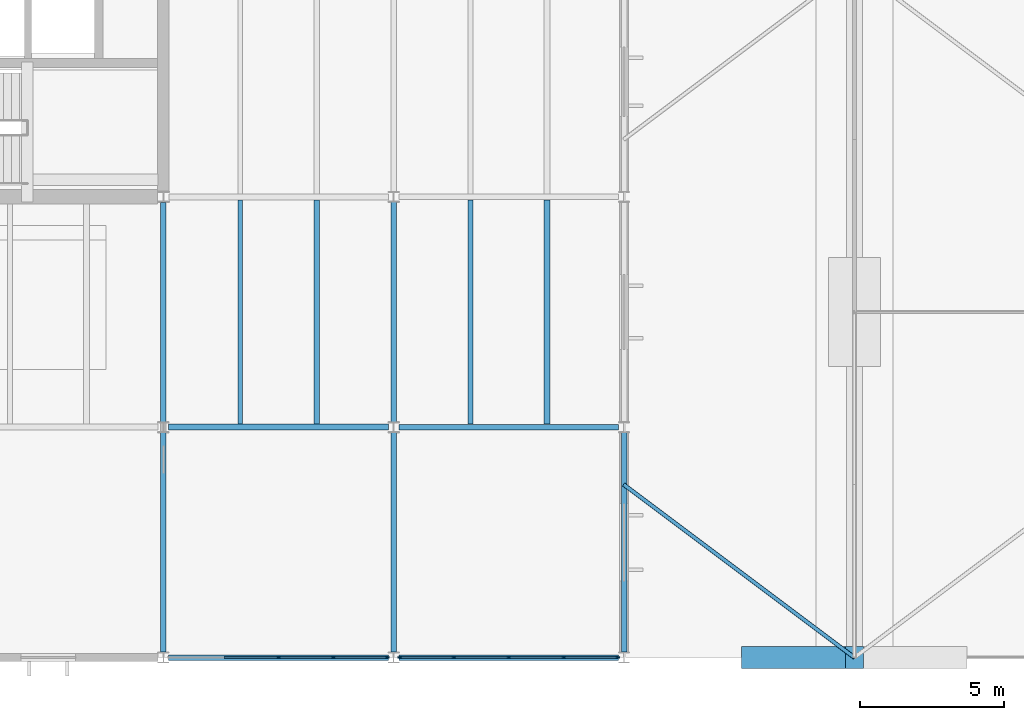
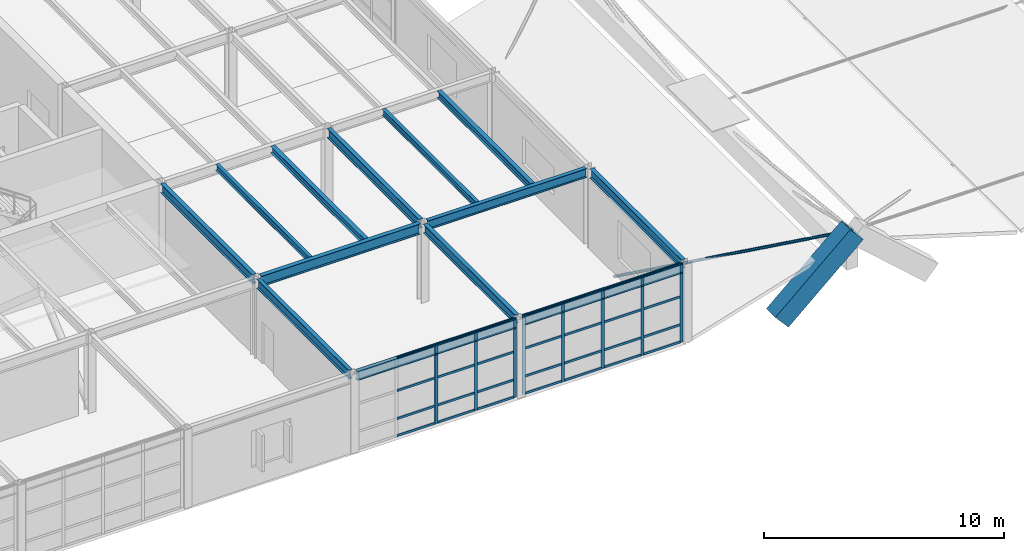
# One storey, part 13 of 50: 38 members, 13 beams, 2 elements without a shape of their own.
"""IFC4 building model written with IfcOpenShell, lengths in metres."""

from ifc_helpers import new_model, si_unit, direction, frame, origin, origin_2d, place, context, subcontext, project, spatial, rectangle, hollow_circle, i_section, extrude, material, layer, layer_set, material_profile, profile_set, type_object, element, aggregate, save


model = new_model("IFC4")

# Units and contexts
model_context = context("Model", 3, precision=1e-05, world=origin(), true_north=direction((0.0, 1.0)))
body_context = subcontext(model_context, "Body", "Model", "MODEL_VIEW")
ifc_project = project(units=[si_unit("LENGTHUNIT", "METRE"), si_unit("AREAUNIT", "SQUARE_METRE"), si_unit("VOLUMEUNIT", "CUBIC_METRE"), si_unit("PLANEANGLEUNIT", "RADIAN"), si_unit("MASSUNIT", "GRAM", prefix="KILO")], contexts=[model_context])

# Site, building, storey
site_placement = place(None, origin())
site = spatial("IfcSite", under=ifc_project, at=site_placement, CompositionType="ELEMENT")
building_placement = place(site_placement, origin())
building = spatial("IfcBuilding", under=site, at=building_placement, Name="Varnela Railside Interchange", CompositionType="ELEMENT")
storey_placement = place(building_placement, frame((0.0, 0.0, 15.39990234375)))
storey = spatial("IfcBuildingStorey", under=building, at=storey_placement, Name="L03", CompositionType="ELEMENT", Elevation=15.39990234375)

# Beams
ifc_material_1 = material(Name="Steel AR 350 (350 MPa)", Category="steel")
ifc_material_profile_1 = material_profile(ifc_material_1, i_section(OverallWidth=0.1650390625, OverallDepth=0.31005859375, WebThickness=0.005859375, FlangeThickness=0.009765625, at=origin_2d()), Name="W310x38.7")
ifc_profile_set_1 = profile_set([ifc_material_profile_1], Name="Steel AR 350 (350 MPa)")
beam_type_1 = type_object("IfcBeamType", Name="Composite Floor Joist J-04", PredefinedType="JOIST", material=ifc_profile_set_1)
for number, where, z_axis, x_axis, name in (
    (1, (38.669921875, 46.1044921875, 3.84521484375), (0.0, 1.0, 0.0), (-1.0, 0.0, 0.0), "Composite Floor Joist J-04 (L03) (BM-2193)"),
    (2, (46.669921875, 46.1044921875, 3.84521484375), (0.0, 1.0, 0.0), (-1.0, 0.0, 0.0), "Composite Floor Joist J-04 (L03) (BM-2204)"),
):
    element("IfcBeam", number, at=place(storey_placement, frame(where, z_axis=z_axis, x_axis=x_axis)), inside=storey, type_object=beam_type_1, Name=name, PredefinedType="JOIST", context=body_context, shape_type="SweptSolid", body=[
        extrude(i_section(OverallWidth=0.1650390625, OverallDepth=0.31005859375, WebThickness=0.005859375, FlangeThickness=0.009765625, at=origin_2d()), origin(), (0.0, 0.0, 1.0), 7.791015625),
    ])
ifc_material_profile_2 = material_profile(ifc_material_1, i_section(OverallWidth=0.208984375, OverallDepth=0.532958984375, WebThickness=0.01025390625, FlangeThickness=0.015625, at=origin_2d()), Name="W530x92")
ifc_profile_set_2 = profile_set([ifc_material_profile_2], Name="Steel AR 350 (350 MPa)")
beam_type_2 = type_object("IfcBeamType", Name="Composite Girder B-18", PredefinedType="BEAM", material=ifc_profile_set_2)
beam_1_placement = place(storey_placement, frame((36.1865234375, 46.0, 3.733642578125), z_axis=(1.0, 0.0, 0.0), x_axis=(0.0, 1.0, 0.0)))
element("IfcBeam", 3, at=beam_1_placement, inside=storey, type_object=beam_type_2, Name="Composite Girder B-18 (L03) (BM-2228)", PredefinedType="BEAM", context=body_context, shape_type="SweptSolid", body=[
    extrude(i_section(OverallWidth=0.208984375, OverallDepth=0.532958984375, WebThickness=0.01025390625, FlangeThickness=0.015625, at=origin_2d()), origin(), (0.0, 0.0, 1.0), 7.626953125),
])
ifc_material_profile_3 = material_profile(ifc_material_1, i_section(OverallWidth=0.202880859375, OverallDepth=0.346923828125, WebThickness=0.0078125, FlangeThickness=0.013427734375, at=origin_2d()), Name="W360x64")
ifc_profile_set_3 = profile_set([ifc_material_profile_3], Name="Steel AR 350 (350 MPa)")
beam_type_3 = type_object("IfcBeamType", Name="Composite Heavy Joist J-01", PredefinedType="JOIST", material=ifc_profile_set_3)
for number, where, z_axis, x_axis, name in (
    (4, (41.330078125, 46.1044921875, 3.82666015625), (0.0, 1.0, 0.0), (-1.0, 0.0, 0.0), "Composite Heavy Joist J-01 (L03) (BM-2194)"),
    (5, (49.330078125, 46.1044921875, 3.82666015625), (0.0, 1.0, 0.0), (-1.0, 0.0, 0.0), "Composite Heavy Joist J-01 (L03) (BM-2205)"),
):
    element("IfcBeam", number, at=place(storey_placement, frame(where, z_axis=z_axis, x_axis=x_axis)), inside=storey, type_object=beam_type_3, Name=name, PredefinedType="JOIST", context=body_context, shape_type="SweptSolid", body=[
        extrude(i_section(OverallWidth=0.202880859375, OverallDepth=0.346923828125, WebThickness=0.0078125, FlangeThickness=0.013427734375, at=origin_2d()), origin(), (0.0, 0.0, 1.0), 7.791015625),
    ])
ifc_material_profile_4 = material_profile(ifc_material_1, i_section(OverallWidth=0.194091796875, OverallDepth=0.468994140625, WebThickness=0.0126953125, FlangeThickness=0.0205078125, at=origin_2d()), Name="W460x106")
ifc_profile_set_4 = profile_set([ifc_material_profile_4], Name="Steel AR 350 (350 MPa)")
beam_type_4 = type_object("IfcBeamType", Name="Composite Primary Beam B-19", PredefinedType="BEAM", material=ifc_profile_set_4)
beam_2_placement = place(storey_placement, frame((36.0, 46.18408203125, 3.765625), z_axis=(0.0, 1.0, 0.0), x_axis=(-1.0, 0.0, 0.0)))
element("IfcBeam", 6, at=beam_2_placement, inside=storey, type_object=beam_type_4, Name="Composite Primary Beam B-19 (L03) (BM-2325)", PredefinedType="BEAM", context=body_context, shape_type="SweptSolid", body=[
    extrude(i_section(OverallWidth=0.194091796875, OverallDepth=0.468994140625, WebThickness=0.0126953125, FlangeThickness=0.0205078125, at=origin_2d()), origin(), (0.0, 0.0, 1.0), 7.62841796875),
])
beam_3_placement = place(storey_placement, frame((44.0, 46.18408203125, 3.765625), z_axis=(0.0, 1.0, 0.0), x_axis=(-1.0, 0.0, 0.0)))
element("IfcBeam", 7, at=beam_3_placement, inside=storey, type_object=beam_type_4, Name="Composite Primary Beam B-19 (L03) (BM-2330)", PredefinedType="BEAM", context=body_context, shape_type="SweptSolid", body=[
    extrude(i_section(OverallWidth=0.194091796875, OverallDepth=0.468994140625, WebThickness=0.0126953125, FlangeThickness=0.0205078125, at=origin_2d()), origin(), (0.0, 0.0, 1.0), 7.6318359375),
])

# Member
ifc_material_profile_5 = material_profile(ifc_material_1, hollow_circle(Radius=0.06982421875, WallThickness=0.012451171875, at=origin_2d()), Name="CHS 139.7x12.5")
ifc_profile_set_5 = profile_set([ifc_material_profile_5], Name="Steel AR 350 (350 MPa)")
member_type_1 = type_object("IfcMemberType", Name="Concourse Roof Cable CB-01", PredefinedType="CHORD", material=ifc_profile_set_5)
member_1_placement = place(storey_placement, frame((60.0, 38.0, 2.800048828125), z_axis=(-0.761940397697, 0.571455298273, -0.304771508564), x_axis=(-0.6, -0.8, 0.0)))
element("IfcMember", 8, at=member_1_placement, inside=storey, type_object=member_type_1, Name="Concourse Roof Cable CB-01 (L03) (MB-0104)", PredefinedType="CHORD", context=body_context, shape_type="SweptSolid", body=[
    extrude(hollow_circle(Radius=0.06982421875, WallThickness=0.012451171875, at=origin_2d()), origin(), (0.0, 0.0, 1.0), 10.49951171875),
])

# Curtain wall, members
ifc_material_2 = material(Name="Aluminium 6063-T6", Category="aluminium")
ifc_layer = layer(ifc_material_2, 0.035888671875)
ifc_layer_set = layer_set([ifc_layer], Name="Aluminium 6063-T6")
curtain_wall_type = type_object("IfcCurtainWallType", Name="Operations Wing Facade Curtain Wall CW-03", PredefinedType="USERDEFINED", material=ifc_layer_set)
curtain_wall_1_placement = place(storey_placement, origin())
curtain_wall_1 = element("IfcCurtainWall", 9, at=curtain_wall_1_placement, inside=storey, type_object=curtain_wall_type, Name="Curtain Wall CW-03 (L03) (CW-076)", ObjectType="CURTAIN WALL", PredefinedType="USERDEFINED")
ifc_material_profile_6 = material_profile(ifc_material_2, rectangle(XDim=0.06005859375, YDim=0.139892578125, at=origin_2d()), Name="ALU 60x140")
ifc_profile_set_6 = profile_set([ifc_material_profile_6], Name="Aluminium 6063-T6")
member_type_2 = type_object("IfcMemberType", Name="Curtain Wall Mullion ML-01", PredefinedType="MULLION", material=ifc_profile_set_6)
member_2_placement = place(storey_placement, frame((51.783447265625, 38.0, 0.0), z_axis=(0.0, 0.0, 1.0), x_axis=(0.0, -1.0, 0.0)))
member_2 = element("IfcMember", 10, at=member_2_placement, type_object=member_type_2, Name="CW-03 mullion 1", PredefinedType="MULLION", context=body_context, shape_type="SweptSolid", body=[
    extrude(rectangle(XDim=0.06005859375, YDim=0.139892578125, at=origin_2d()), origin(), (0.0, 0.0, 1.0), 4.0),
])
member_3_placement = place(storey_placement, frame((49.90673828125, 38.0, 0.0), z_axis=(0.0, 0.0, 1.0), x_axis=(0.0, -1.0, 0.0)))
member_3 = element("IfcMember", 11, at=member_3_placement, type_object=member_type_2, Name="CW-03 mullion 2", PredefinedType="MULLION", context=body_context, shape_type="SweptSolid", body=[
    extrude(rectangle(XDim=0.06005859375, YDim=0.139892578125, at=origin_2d()), origin(), (0.0, 0.0, 1.0), 4.0),
])
member_4_placement = place(storey_placement, frame((48.0, 38.0, 0.0), z_axis=(0.0, 0.0, 1.0), x_axis=(0.0, -1.0, 0.0)))
member_4 = element("IfcMember", 12, at=member_4_placement, type_object=member_type_2, Name="CW-03 mullion 3", PredefinedType="MULLION", context=body_context, shape_type="SweptSolid", body=[
    extrude(rectangle(XDim=0.06005859375, YDim=0.139892578125, at=origin_2d()), origin(), (0.0, 0.0, 1.0), 4.0),
])
member_5_placement = place(storey_placement, frame((46.09326171875, 38.0, 0.0), z_axis=(0.0, 0.0, 1.0), x_axis=(0.0, -1.0, 0.0)))
member_5 = element("IfcMember", 13, at=member_5_placement, type_object=member_type_2, Name="CW-03 mullion 4", PredefinedType="MULLION", context=body_context, shape_type="SweptSolid", body=[
    extrude(rectangle(XDim=0.06005859375, YDim=0.139892578125, at=origin_2d()), origin(), (0.0, 0.0, 1.0), 4.0),
])
member_6_placement = place(storey_placement, frame((44.216552734375, 38.0, 0.0), z_axis=(0.0, 0.0, 1.0), x_axis=(0.0, -1.0, 0.0)))
member_6 = element("IfcMember", 14, at=member_6_placement, type_object=member_type_2, Name="CW-03 mullion 5", PredefinedType="MULLION", context=body_context, shape_type="SweptSolid", body=[
    extrude(rectangle(XDim=0.06005859375, YDim=0.139892578125, at=origin_2d()), origin(), (0.0, 0.0, 1.0), 4.0),
])

curtain_wall_2_placement = place(storey_placement, origin())
curtain_wall_2 = element("IfcCurtainWall", 15, at=curtain_wall_2_placement, inside=storey, type_object=curtain_wall_type, Name="Curtain Wall CW-03 (L03) (CW-084)", ObjectType="CURTAIN WALL", PredefinedType="USERDEFINED")
member_7_placement = place(storey_placement, frame((43.783447265625, 38.0, 0.0), z_axis=(0.0, 0.0, 1.0), x_axis=(0.0, -1.0, 0.0)))
member_7 = element("IfcMember", 16, at=member_7_placement, type_object=member_type_2, Name="CW-03 mullion 1", PredefinedType="MULLION", context=body_context, shape_type="SweptSolid", body=[
    extrude(rectangle(XDim=0.06005859375, YDim=0.139892578125, at=origin_2d()), origin(), (0.0, 0.0, 1.0), 4.0),
])
member_8_placement = place(storey_placement, frame((41.90673828125, 38.0, 0.0), z_axis=(0.0, 0.0, 1.0), x_axis=(0.0, -1.0, 0.0)))
member_8 = element("IfcMember", 17, at=member_8_placement, type_object=member_type_2, Name="CW-03 mullion 2", PredefinedType="MULLION", context=body_context, shape_type="SweptSolid", body=[
    extrude(rectangle(XDim=0.06005859375, YDim=0.139892578125, at=origin_2d()), origin(), (0.0, 0.0, 1.0), 4.0),
])
member_9_placement = place(storey_placement, frame((40.0, 38.0, 0.0), z_axis=(0.0, 0.0, 1.0), x_axis=(0.0, -1.0, 0.0)))
member_9 = element("IfcMember", 18, at=member_9_placement, type_object=member_type_2, Name="CW-03 mullion 3", PredefinedType="MULLION", context=body_context, shape_type="SweptSolid", body=[
    extrude(rectangle(XDim=0.06005859375, YDim=0.139892578125, at=origin_2d()), origin(), (0.0, 0.0, 1.0), 4.0),
])

# Member
ifc_material_profile_7 = material_profile(ifc_material_2, rectangle(XDim=0.06005859375, YDim=0.110107421875, at=origin_2d()), Name="ALU 60x110")
ifc_profile_set_7 = profile_set([ifc_material_profile_7], Name="Aluminium 6063-T6")
member_type_3 = type_object("IfcMemberType", Name="Curtain Wall Transom TR-01", PredefinedType="USERDEFINED", material=ifc_profile_set_7)
member_10_placement = place(storey_placement, frame((51.75341796875, 38.0, 0.030029296875), z_axis=(-1.0, 0.0, 0.0), x_axis=(0.0, -1.0, 0.0)))
member_10 = element("IfcMember", 19, at=member_10_placement, type_object=member_type_3, Name="CW-03 transom 1.1", ObjectType="TRANSOM", PredefinedType="USERDEFINED", context=body_context, shape_type="SweptSolid", body=[
    extrude(rectangle(XDim=0.06005859375, YDim=0.110107421875, at=origin_2d()), origin(), (0.0, 0.0, 1.0), 1.816650390625),
])

member_11_placement = place(storey_placement, frame((51.75341796875, 38.0, 0.900146484375), z_axis=(-1.0, 0.0, 0.0), x_axis=(0.0, -1.0, 0.0)))
member_11 = element("IfcMember", 20, at=member_11_placement, type_object=member_type_3, Name="CW-03 transom 1.2", ObjectType="TRANSOM", PredefinedType="USERDEFINED", context=body_context, shape_type="SweptSolid", body=[
    extrude(rectangle(XDim=0.06005859375, YDim=0.110107421875, at=origin_2d()), origin(), (0.0, 0.0, 1.0), 1.816650390625),
])

member_12_placement = place(storey_placement, frame((51.75341796875, 38.0, 2.320068359375), z_axis=(-1.0, 0.0, 0.0), x_axis=(0.0, -1.0, 0.0)))
member_12 = element("IfcMember", 21, at=member_12_placement, type_object=member_type_3, Name="CW-03 transom 1.3", ObjectType="TRANSOM", PredefinedType="USERDEFINED", context=body_context, shape_type="SweptSolid", body=[
    extrude(rectangle(XDim=0.06005859375, YDim=0.110107421875, at=origin_2d()), origin(), (0.0, 0.0, 1.0), 1.816650390625),
])

member_13_placement = place(storey_placement, frame((51.75341796875, 38.0, 3.97021484375), z_axis=(-1.0, 0.0, 0.0), x_axis=(0.0, -1.0, 0.0)))
member_13 = element("IfcMember", 22, at=member_13_placement, type_object=member_type_3, Name="CW-03 transom 1.4", ObjectType="TRANSOM", PredefinedType="USERDEFINED", context=body_context, shape_type="SweptSolid", body=[
    extrude(rectangle(XDim=0.06005859375, YDim=0.110107421875, at=origin_2d()), origin(), (0.0, 0.0, 1.0), 1.816650390625),
])

member_14_placement = place(storey_placement, frame((49.876708984375, 38.0, 0.030029296875), z_axis=(-1.0, 0.0, 0.0), x_axis=(0.0, -1.0, 0.0)))
member_14 = element("IfcMember", 23, at=member_14_placement, type_object=member_type_3, Name="CW-03 transom 2.1", ObjectType="TRANSOM", PredefinedType="USERDEFINED", context=body_context, shape_type="SweptSolid", body=[
    extrude(rectangle(XDim=0.06005859375, YDim=0.110107421875, at=origin_2d()), origin(), (0.0, 0.0, 1.0), 1.8466796875),
])

member_15_placement = place(storey_placement, frame((49.876708984375, 38.0, 0.900146484375), z_axis=(-1.0, 0.0, 0.0), x_axis=(0.0, -1.0, 0.0)))
member_15 = element("IfcMember", 24, at=member_15_placement, type_object=member_type_3, Name="CW-03 transom 2.2", ObjectType="TRANSOM", PredefinedType="USERDEFINED", context=body_context, shape_type="SweptSolid", body=[
    extrude(rectangle(XDim=0.06005859375, YDim=0.110107421875, at=origin_2d()), origin(), (0.0, 0.0, 1.0), 1.8466796875),
])

member_16_placement = place(storey_placement, frame((49.876708984375, 38.0, 2.320068359375), z_axis=(-1.0, 0.0, 0.0), x_axis=(0.0, -1.0, 0.0)))
member_16 = element("IfcMember", 25, at=member_16_placement, type_object=member_type_3, Name="CW-03 transom 2.3", ObjectType="TRANSOM", PredefinedType="USERDEFINED", context=body_context, shape_type="SweptSolid", body=[
    extrude(rectangle(XDim=0.06005859375, YDim=0.110107421875, at=origin_2d()), origin(), (0.0, 0.0, 1.0), 1.8466796875),
])

member_17_placement = place(storey_placement, frame((49.876708984375, 38.0, 3.97021484375), z_axis=(-1.0, 0.0, 0.0), x_axis=(0.0, -1.0, 0.0)))
member_17 = element("IfcMember", 26, at=member_17_placement, type_object=member_type_3, Name="CW-03 transom 2.4", ObjectType="TRANSOM", PredefinedType="USERDEFINED", context=body_context, shape_type="SweptSolid", body=[
    extrude(rectangle(XDim=0.06005859375, YDim=0.110107421875, at=origin_2d()), origin(), (0.0, 0.0, 1.0), 1.8466796875),
])

member_18_placement = place(storey_placement, frame((47.969970703125, 38.0, 0.030029296875), z_axis=(-1.0, 0.0, 0.0), x_axis=(0.0, -1.0, 0.0)))
member_18 = element("IfcMember", 27, at=member_18_placement, type_object=member_type_3, Name="CW-03 transom 3.1", ObjectType="TRANSOM", PredefinedType="USERDEFINED", context=body_context, shape_type="SweptSolid", body=[
    extrude(rectangle(XDim=0.06005859375, YDim=0.110107421875, at=origin_2d()), origin(), (0.0, 0.0, 1.0), 1.8466796875),
])

member_19_placement = place(storey_placement, frame((47.969970703125, 38.0, 0.900146484375), z_axis=(-1.0, 0.0, 0.0), x_axis=(0.0, -1.0, 0.0)))
member_19 = element("IfcMember", 28, at=member_19_placement, type_object=member_type_3, Name="CW-03 transom 3.2", ObjectType="TRANSOM", PredefinedType="USERDEFINED", context=body_context, shape_type="SweptSolid", body=[
    extrude(rectangle(XDim=0.06005859375, YDim=0.110107421875, at=origin_2d()), origin(), (0.0, 0.0, 1.0), 1.8466796875),
])

member_20_placement = place(storey_placement, frame((47.969970703125, 38.0, 2.320068359375), z_axis=(-1.0, 0.0, 0.0), x_axis=(0.0, -1.0, 0.0)))
member_20 = element("IfcMember", 29, at=member_20_placement, type_object=member_type_3, Name="CW-03 transom 3.3", ObjectType="TRANSOM", PredefinedType="USERDEFINED", context=body_context, shape_type="SweptSolid", body=[
    extrude(rectangle(XDim=0.06005859375, YDim=0.110107421875, at=origin_2d()), origin(), (0.0, 0.0, 1.0), 1.8466796875),
])

member_21_placement = place(storey_placement, frame((47.969970703125, 38.0, 3.97021484375), z_axis=(-1.0, 0.0, 0.0), x_axis=(0.0, -1.0, 0.0)))
member_21 = element("IfcMember", 30, at=member_21_placement, type_object=member_type_3, Name="CW-03 transom 3.4", ObjectType="TRANSOM", PredefinedType="USERDEFINED", context=body_context, shape_type="SweptSolid", body=[
    extrude(rectangle(XDim=0.06005859375, YDim=0.110107421875, at=origin_2d()), origin(), (0.0, 0.0, 1.0), 1.8466796875),
])

member_22_placement = place(storey_placement, frame((46.063232421875, 38.0, 0.030029296875), z_axis=(-1.0, 0.0, 0.0), x_axis=(0.0, -1.0, 0.0)))
member_22 = element("IfcMember", 31, at=member_22_placement, type_object=member_type_3, Name="CW-03 transom 4.1", ObjectType="TRANSOM", PredefinedType="USERDEFINED", context=body_context, shape_type="SweptSolid", body=[
    extrude(rectangle(XDim=0.06005859375, YDim=0.110107421875, at=origin_2d()), origin(), (0.0, 0.0, 1.0), 1.816650390625),
])

member_23_placement = place(storey_placement, frame((46.063232421875, 38.0, 0.900146484375), z_axis=(-1.0, 0.0, 0.0), x_axis=(0.0, -1.0, 0.0)))
member_23 = element("IfcMember", 32, at=member_23_placement, type_object=member_type_3, Name="CW-03 transom 4.2", ObjectType="TRANSOM", PredefinedType="USERDEFINED", context=body_context, shape_type="SweptSolid", body=[
    extrude(rectangle(XDim=0.06005859375, YDim=0.110107421875, at=origin_2d()), origin(), (0.0, 0.0, 1.0), 1.816650390625),
])

member_24_placement = place(storey_placement, frame((46.063232421875, 38.0, 2.320068359375), z_axis=(-1.0, 0.0, 0.0), x_axis=(0.0, -1.0, 0.0)))
member_24 = element("IfcMember", 33, at=member_24_placement, type_object=member_type_3, Name="CW-03 transom 4.3", ObjectType="TRANSOM", PredefinedType="USERDEFINED", context=body_context, shape_type="SweptSolid", body=[
    extrude(rectangle(XDim=0.06005859375, YDim=0.110107421875, at=origin_2d()), origin(), (0.0, 0.0, 1.0), 1.816650390625),
])

member_25_placement = place(storey_placement, frame((46.063232421875, 38.0, 3.97021484375), z_axis=(-1.0, 0.0, 0.0), x_axis=(0.0, -1.0, 0.0)))
member_25 = element("IfcMember", 34, at=member_25_placement, type_object=member_type_3, Name="CW-03 transom 4.4", ObjectType="TRANSOM", PredefinedType="USERDEFINED", context=body_context, shape_type="SweptSolid", body=[
    extrude(rectangle(XDim=0.06005859375, YDim=0.110107421875, at=origin_2d()), origin(), (0.0, 0.0, 1.0), 1.816650390625),
])

aggregate(curtain_wall_1, [member_2, member_3, member_4, member_5, member_6, member_10, member_11, member_12, member_13, member_14, member_15, member_16, member_17, member_18, member_19, member_20, member_21, member_22, member_23, member_24, member_25])

member_26_placement = place(storey_placement, frame((43.75341796875, 38.0, 0.030029296875), z_axis=(-1.0, 0.0, 0.0), x_axis=(0.0, -1.0, 0.0)))
member_26 = element("IfcMember", 35, at=member_26_placement, type_object=member_type_3, Name="CW-03 transom 1.1", ObjectType="TRANSOM", PredefinedType="USERDEFINED", context=body_context, shape_type="SweptSolid", body=[
    extrude(rectangle(XDim=0.06005859375, YDim=0.110107421875, at=origin_2d()), origin(), (0.0, 0.0, 1.0), 1.816650390625),
])

member_27_placement = place(storey_placement, frame((43.75341796875, 38.0, 0.900146484375), z_axis=(-1.0, 0.0, 0.0), x_axis=(0.0, -1.0, 0.0)))
member_27 = element("IfcMember", 36, at=member_27_placement, type_object=member_type_3, Name="CW-03 transom 1.2", ObjectType="TRANSOM", PredefinedType="USERDEFINED", context=body_context, shape_type="SweptSolid", body=[
    extrude(rectangle(XDim=0.06005859375, YDim=0.110107421875, at=origin_2d()), origin(), (0.0, 0.0, 1.0), 1.816650390625),
])

member_28_placement = place(storey_placement, frame((43.75341796875, 38.0, 2.320068359375), z_axis=(-1.0, 0.0, 0.0), x_axis=(0.0, -1.0, 0.0)))
member_28 = element("IfcMember", 37, at=member_28_placement, type_object=member_type_3, Name="CW-03 transom 1.3", ObjectType="TRANSOM", PredefinedType="USERDEFINED", context=body_context, shape_type="SweptSolid", body=[
    extrude(rectangle(XDim=0.06005859375, YDim=0.110107421875, at=origin_2d()), origin(), (0.0, 0.0, 1.0), 1.816650390625),
])

member_29_placement = place(storey_placement, frame((43.75341796875, 38.0, 3.97021484375), z_axis=(-1.0, 0.0, 0.0), x_axis=(0.0, -1.0, 0.0)))
member_29 = element("IfcMember", 38, at=member_29_placement, type_object=member_type_3, Name="CW-03 transom 1.4", ObjectType="TRANSOM", PredefinedType="USERDEFINED", context=body_context, shape_type="SweptSolid", body=[
    extrude(rectangle(XDim=0.06005859375, YDim=0.110107421875, at=origin_2d()), origin(), (0.0, 0.0, 1.0), 1.816650390625),
])

member_30_placement = place(storey_placement, frame((41.876708984375, 38.0, 0.030029296875), z_axis=(-1.0, 0.0, 0.0), x_axis=(0.0, -1.0, 0.0)))
member_30 = element("IfcMember", 39, at=member_30_placement, type_object=member_type_3, Name="CW-03 transom 2.1", ObjectType="TRANSOM", PredefinedType="USERDEFINED", context=body_context, shape_type="SweptSolid", body=[
    extrude(rectangle(XDim=0.06005859375, YDim=0.110107421875, at=origin_2d()), origin(), (0.0, 0.0, 1.0), 1.8466796875),
])

member_31_placement = place(storey_placement, frame((41.876708984375, 38.0, 0.900146484375), z_axis=(-1.0, 0.0, 0.0), x_axis=(0.0, -1.0, 0.0)))
member_31 = element("IfcMember", 40, at=member_31_placement, type_object=member_type_3, Name="CW-03 transom 2.2", ObjectType="TRANSOM", PredefinedType="USERDEFINED", context=body_context, shape_type="SweptSolid", body=[
    extrude(rectangle(XDim=0.06005859375, YDim=0.110107421875, at=origin_2d()), origin(), (0.0, 0.0, 1.0), 1.8466796875),
])

member_32_placement = place(storey_placement, frame((41.876708984375, 38.0, 2.320068359375), z_axis=(-1.0, 0.0, 0.0), x_axis=(0.0, -1.0, 0.0)))
member_32 = element("IfcMember", 41, at=member_32_placement, type_object=member_type_3, Name="CW-03 transom 2.3", ObjectType="TRANSOM", PredefinedType="USERDEFINED", context=body_context, shape_type="SweptSolid", body=[
    extrude(rectangle(XDim=0.06005859375, YDim=0.110107421875, at=origin_2d()), origin(), (0.0, 0.0, 1.0), 1.8466796875),
])

member_33_placement = place(storey_placement, frame((41.876708984375, 38.0, 3.97021484375), z_axis=(-1.0, 0.0, 0.0), x_axis=(0.0, -1.0, 0.0)))
member_33 = element("IfcMember", 42, at=member_33_placement, type_object=member_type_3, Name="CW-03 transom 2.4", ObjectType="TRANSOM", PredefinedType="USERDEFINED", context=body_context, shape_type="SweptSolid", body=[
    extrude(rectangle(XDim=0.06005859375, YDim=0.110107421875, at=origin_2d()), origin(), (0.0, 0.0, 1.0), 1.8466796875),
])

member_34_placement = place(storey_placement, frame((39.969970703125, 38.0, 0.030029296875), z_axis=(-1.0, 0.0, 0.0), x_axis=(0.0, -1.0, 0.0)))
member_34 = element("IfcMember", 43, at=member_34_placement, type_object=member_type_3, Name="CW-03 transom 3.1", ObjectType="TRANSOM", PredefinedType="USERDEFINED", context=body_context, shape_type="SweptSolid", body=[
    extrude(rectangle(XDim=0.06005859375, YDim=0.110107421875, at=origin_2d()), origin(), (0.0, 0.0, 1.0), 1.8466796875),
])

member_35_placement = place(storey_placement, frame((39.969970703125, 38.0, 0.900146484375), z_axis=(-1.0, 0.0, 0.0), x_axis=(0.0, -1.0, 0.0)))
member_35 = element("IfcMember", 44, at=member_35_placement, type_object=member_type_3, Name="CW-03 transom 3.2", ObjectType="TRANSOM", PredefinedType="USERDEFINED", context=body_context, shape_type="SweptSolid", body=[
    extrude(rectangle(XDim=0.06005859375, YDim=0.110107421875, at=origin_2d()), origin(), (0.0, 0.0, 1.0), 1.8466796875),
])

member_36_placement = place(storey_placement, frame((39.969970703125, 38.0, 2.320068359375), z_axis=(-1.0, 0.0, 0.0), x_axis=(0.0, -1.0, 0.0)))
member_36 = element("IfcMember", 45, at=member_36_placement, type_object=member_type_3, Name="CW-03 transom 3.3", ObjectType="TRANSOM", PredefinedType="USERDEFINED", context=body_context, shape_type="SweptSolid", body=[
    extrude(rectangle(XDim=0.06005859375, YDim=0.110107421875, at=origin_2d()), origin(), (0.0, 0.0, 1.0), 1.8466796875),
])

member_37_placement = place(storey_placement, frame((39.969970703125, 38.0, 3.97021484375), z_axis=(-1.0, 0.0, 0.0), x_axis=(0.0, -1.0, 0.0)))
member_37 = element("IfcMember", 46, at=member_37_placement, type_object=member_type_3, Name="CW-03 transom 3.4", ObjectType="TRANSOM", PredefinedType="USERDEFINED", context=body_context, shape_type="SweptSolid", body=[
    extrude(rectangle(XDim=0.06005859375, YDim=0.110107421875, at=origin_2d()), origin(), (0.0, 0.0, 1.0), 1.8466796875),
])

aggregate(curtain_wall_2, [member_7, member_8, member_9, member_26, member_27, member_28, member_29, member_30, member_31, member_32, member_33, member_34, member_35, member_36, member_37])

ifc_material_3 = material(Name="Concrete C50", Category="concrete")
ifc_material_profile_8 = material_profile(ifc_material_3, rectangle(XDim=0.75, YDim=0.949951171875, at=origin_2d()), Name="RC 750x950")
ifc_profile_set_8 = profile_set([ifc_material_profile_8], Name="Concrete C50")
member_type_4 = type_object("IfcMemberType", Name="Sculpted Concourse A-Frame Mast Strut MS-01", PredefinedType="STRUT", material=ifc_profile_set_8)
member_38_placement = place(storey_placement, frame((56.39990234375, 38.0, -0.39990234375), z_axis=(0.747423301004, 0.0, 0.664348108386), x_axis=(0.0, 1.0, 0.0)))
element("IfcMember", 47, at=member_38_placement, inside=storey, type_object=member_type_4, Name="Sculpted Concourse A-Frame Mast Strut MS-01 (L03) (MB-0148)", PredefinedType="STRUT", context=body_context, shape_type="SweptSolid", body=[
    extrude(rectangle(XDim=0.75, YDim=0.949951171875, at=origin_2d()), origin(), (0.0, 0.0, 1.0), 4.816650390625),
])

# Beams
ifc_material_profile_9 = material_profile(ifc_material_1, i_section(OverallWidth=0.19091796875, OverallDepth=0.4599609375, WebThickness=0.010009765625, FlangeThickness=0.01611328125, at=origin_2d()), Name="W460x82")
ifc_profile_set_9 = profile_set([ifc_material_profile_9], Name="Steel AR 350 (350 MPa)")
beam_type_5 = type_object("IfcBeamType", Name="Steel Perimeter Spandrel SP-01", PredefinedType="SPANDREL", material=ifc_profile_set_9)
for number, where, z_axis, x_axis, name in (
    (48, (36.1865234375, 38.0, 3.77001953125), (1.0, 0.0, 0.0), (0.0, 1.0, 0.0), "Steel Perimeter Spandrel SP-01 (L03) (BM-2219)"),
    (49, (44.1865234375, 38.0, 3.77001953125), (1.0, 0.0, 0.0), (0.0, 1.0, 0.0), "Steel Perimeter Spandrel SP-01 (L03) (BM-2220)"),
    (50, (44.1865234375, 46.0, 3.77001953125), (1.0, 0.0, 0.0), (0.0, 1.0, 0.0), "Steel Perimeter Spandrel SP-01 (L03) (BM-2229)"),
):
    element("IfcBeam", number, at=place(storey_placement, frame(where, z_axis=z_axis, x_axis=x_axis)), inside=storey, type_object=beam_type_5, Name=name, PredefinedType="SPANDREL", context=body_context, shape_type="SweptSolid", body=[
        extrude(i_section(OverallWidth=0.19091796875, OverallDepth=0.4599609375, WebThickness=0.010009765625, FlangeThickness=0.01611328125, at=origin_2d()), origin(), (0.0, 0.0, 1.0), 7.626953125),
    ])
for number, where, z_axis, x_axis, name in (
    (51, (36.0, 38.18408203125, 3.77001953125), (0.0, 1.0, 0.0), (-1.0, 0.0, 0.0), "Steel Perimeter Spandrel SP-01 (L03) (BM-2324)"),
    (52, (44.0, 38.18408203125, 3.77001953125), (0.0, 1.0, 0.0), (-1.0, 0.0, 0.0), "Steel Perimeter Spandrel SP-01 (L03) (BM-2329)"),
    (53, (52.0, 38.18408203125, 3.77001953125), (0.0, 1.0, 0.0), (-1.0, 0.0, 0.0), "Steel Perimeter Spandrel SP-01 (L03) (BM-2335)"),
):
    element("IfcBeam", number, at=place(storey_placement, frame(where, z_axis=z_axis, x_axis=x_axis)), inside=storey, type_object=beam_type_5, Name=name, PredefinedType="SPANDREL", context=body_context, shape_type="SweptSolid", body=[
        extrude(i_section(OverallWidth=0.19091796875, OverallDepth=0.4599609375, WebThickness=0.010009765625, FlangeThickness=0.01611328125, at=origin_2d()), origin(), (0.0, 0.0, 1.0), 7.6318359375),
    ])

save(model, "model.ifc")
